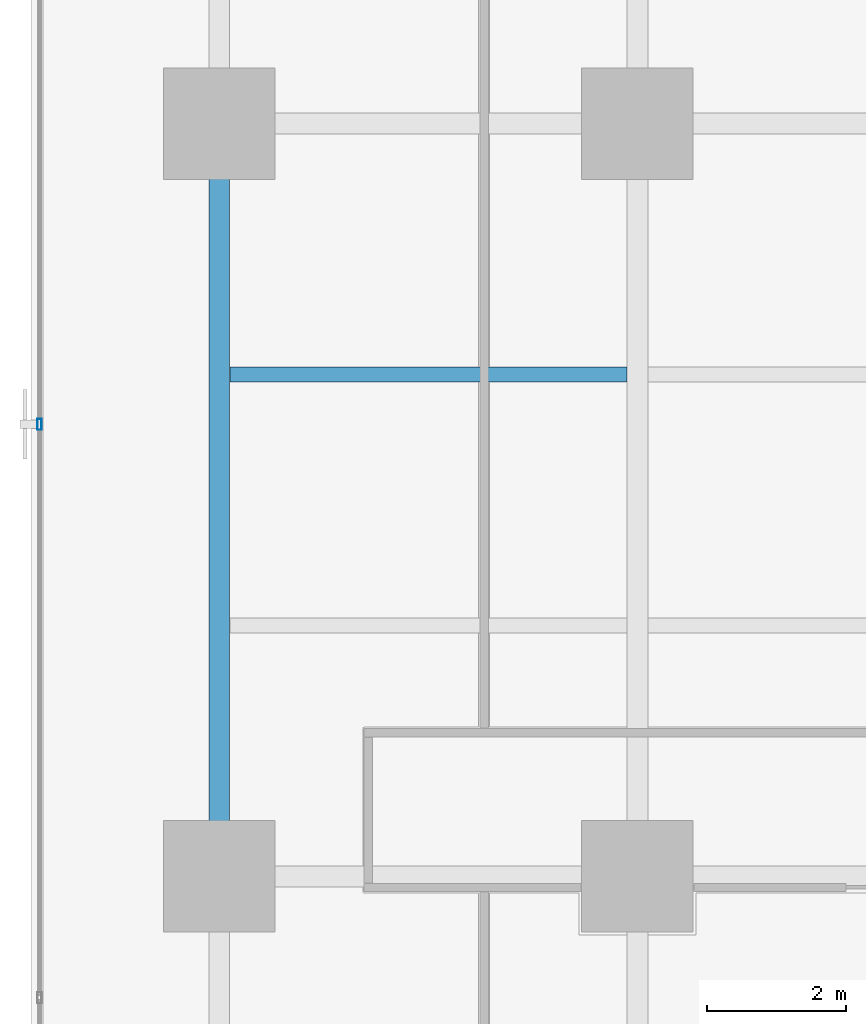
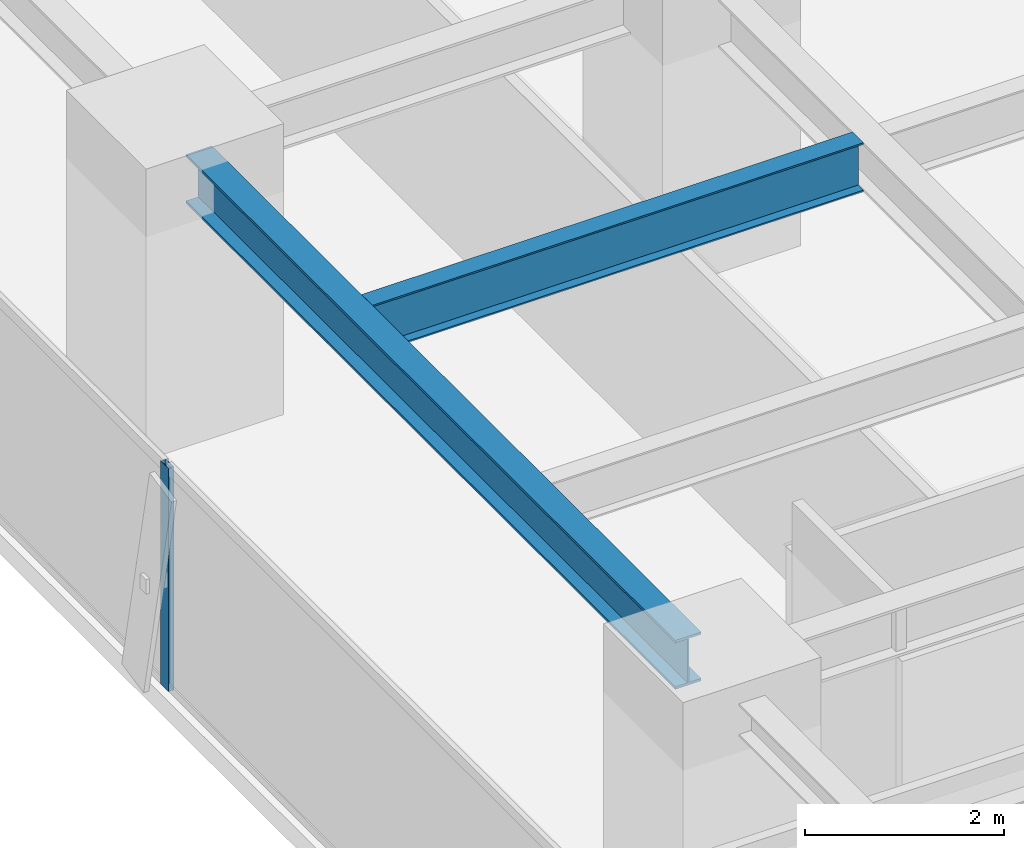
# One storey, part 8 of 36: 2 beams, 1 member, 1 element without a shape of its own.
"""IFC4 building model written with IfcOpenShell, lengths in metres."""

from ifc_helpers import new_model, si_unit, direction, frame, origin, origin_2d, place, context, subcontext, project, spatial, hollow_rectangle, i_section, extrude, source, transform, mapped, material, layer, layer_set, material_profile, profile_set, type_object, element, aggregate, save


model = new_model("IFC4")

# Units and contexts
model_context = context("Model", 3, precision=1e-05, world=origin(), true_north=direction((0.0, 1.0)))
body_context = subcontext(model_context, "Body", "Model", "MODEL_VIEW")
ifc_project = project(units=[si_unit("LENGTHUNIT", "METRE"), si_unit("AREAUNIT", "SQUARE_METRE"), si_unit("VOLUMEUNIT", "CUBIC_METRE"), si_unit("PLANEANGLEUNIT", "RADIAN"), si_unit("MASSUNIT", "GRAM", prefix="KILO")], contexts=[model_context])

# Site, building, storey
site_placement = place(None, origin())
site = spatial("IfcSite", under=ifc_project, at=site_placement, CompositionType="ELEMENT")
building_placement = place(site_placement, origin())
building = spatial("IfcBuilding", under=site, at=building_placement, Name="Sumidabori Civic Tower", CompositionType="ELEMENT")
storey_placement = place(building_placement, frame((0.0, 0.0, 84.800048828125)))
storey = spatial("IfcBuildingStorey", under=building, at=storey_placement, Name="L21", CompositionType="ELEMENT", Elevation=84.800048828125)

# Beams
ifc_material_1 = material(Name="Steel SN490", Category="steel")
ifc_material_profile_1 = material_profile(ifc_material_1, i_section(OverallWidth=0.300048828125, OverallDepth=0.60009765625, WebThickness=0.015380859375, FlangeThickness=0.030029296875, at=origin_2d()), Name="HE 600 B")
ifc_profile_set_1 = profile_set([ifc_material_profile_1], Name="Steel SN490")
beam_type_1 = type_object("IfcBeamType", Name="BM-GIRD-600", PredefinedType="BEAM", material=ifc_profile_set_1)
shared_shape_1 = source(origin(), body_context, "Body", "SweptSolid", [
    extrude(i_section(OverallWidth=0.300048828125, OverallDepth=0.60009765625, WebThickness=0.015380859375, FlangeThickness=0.030029296875, at=origin_2d()), origin(), (0.0, 0.0, 1.0), 9.840087890625),
])
beam_1_placement = place(storey_placement, frame((-22.800048828125, -10.320068359375, 3.06005859375), z_axis=(0.0, 1.0, 0.0), x_axis=(-1.0, 0.0, 0.0)))
element("IfcBeam", 1, at=beam_1_placement, inside=storey, type_object=beam_type_1, Name="Primary Girder L21 GY-22", PredefinedType="BEAM", context=body_context, shape_type="MappedRepresentation", body=[
    mapped(shared_shape_1, transform((0.0, 0.0, 0.0), x_axis=(1.0, 0.0, 0.0), y_axis=(0.0, 1.0, 0.0), z_axis=(0.0, 0.0, 1.0), scale=1.0)),
])
ifc_material_profile_2 = material_profile(ifc_material_1, i_section(OverallWidth=0.219970703125, OverallDepth=0.60009765625, WebThickness=0.011962890625, FlangeThickness=0.01904296875, at=origin_2d()), Name="IPE 600")
ifc_profile_set_2 = profile_set([ifc_material_profile_2], Name="Steel SN490")
beam_type_2 = type_object("IfcBeamType", Name="BM-JST-600", PredefinedType="JOIST", material=ifc_profile_set_2)
shared_shape_2 = source(origin(), body_context, "Body", "SweptSolid", [
    extrude(i_section(OverallWidth=0.219970703125, OverallDepth=0.60009765625, WebThickness=0.011962890625, FlangeThickness=0.01904296875, at=origin_2d()), origin(), (0.0, 0.0, 1.0), 5.699951171875),
])
beam_2_placement = place(storey_placement, frame((-22.64990234375, -3.60009765625, 3.06005859375), z_axis=(1.0, 0.0, 0.0), x_axis=(0.0, 1.0, 0.0)))
element("IfcBeam", 2, at=beam_2_placement, inside=storey, type_object=beam_type_2, Name="Outer Bay Floor Joist L21 JSTO-45", PredefinedType="JOIST", context=body_context, shape_type="MappedRepresentation", body=[
    mapped(shared_shape_2, transform((0.0, 0.0, 0.0), x_axis=(1.0, 0.0, 0.0), y_axis=(0.0, 1.0, 0.0), z_axis=(0.0, 0.0, 1.0), scale=1.0)),
])

# Curtain wall, member
ifc_material_2 = material(Name="Anodised Bronze Aluminium AW-6063-T6", Category="aluminium")
ifc_layer = layer(ifc_material_2, 0.179931640625, Name="Anodised Bronze Aluminium AW-6063-T6")
ifc_layer_set = layer_set([ifc_layer], Name="Anodised Bronze Aluminium AW-6063-T6")
curtain_wall_type = type_object("IfcCurtainWallType", Name="CW-SYS-3", PredefinedType="NOTDEFINED", material=ifc_layer_set)
curtain_wall_placement = place(storey_placement, origin())
curtain_wall = element("IfcCurtainWall", 3, at=curtain_wall_placement, inside=storey, type_object=curtain_wall_type, Name="Curtain Wall CW:L21:R10", PredefinedType="NOTDEFINED")
ifc_material_profile_3 = material_profile(ifc_material_2, hollow_rectangle(XDim=0.06494140625, YDim=0.159912109375, WallThickness=0.0048828125, at=origin_2d()), Name="ALU MULLION 160x65")
ifc_profile_set_3 = profile_set([ifc_material_profile_3], Name="Anodised Bronze Aluminium AW-6063-T6")
member_type = type_object("IfcMemberType", Name="CW-MUL-160", PredefinedType="MULLION", material=ifc_profile_set_3)
shared_shape_3 = source(origin(), body_context, "Body", "SweptSolid", [
    extrude(hollow_rectangle(XDim=0.06494140625, YDim=0.159912109375, WallThickness=0.0048828125, at=origin_2d()), origin(), (0.0, 0.0, 1.0), 2.739990234375),
])
member_placement = place(storey_placement, frame((-25.3798828125, -4.31396484375, 0.0), z_axis=(0.0, 0.0, 1.0), x_axis=(1.0, 0.0, 0.0)))
member = element("IfcMember", 4, at=member_placement, type_object=member_type, Name="CW-3 mullion 4", PredefinedType="MULLION", context=body_context, shape_type="MappedRepresentation", body=[
    mapped(shared_shape_3, transform((0.0, 0.0, 0.0), x_axis=(1.0, 0.0, 0.0), y_axis=(0.0, 1.0, 0.0), z_axis=(0.0, 0.0, 1.0), scale=1.0)),
])
aggregate(curtain_wall, [member])

save(model, "model.ifc")
